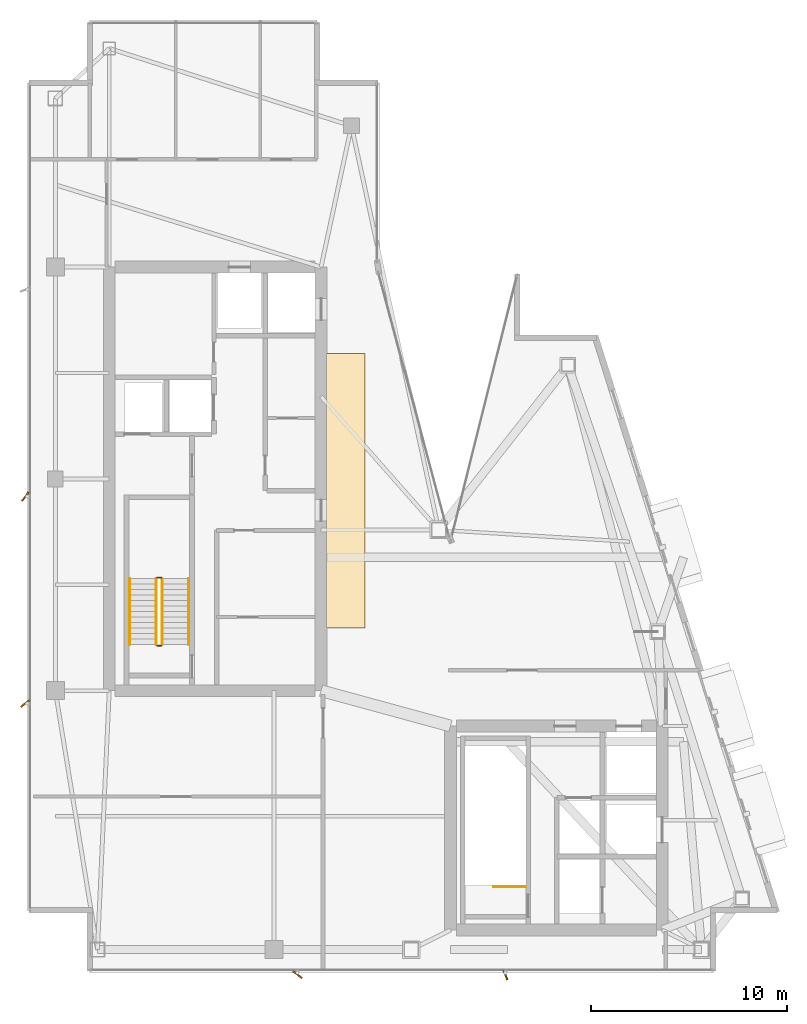
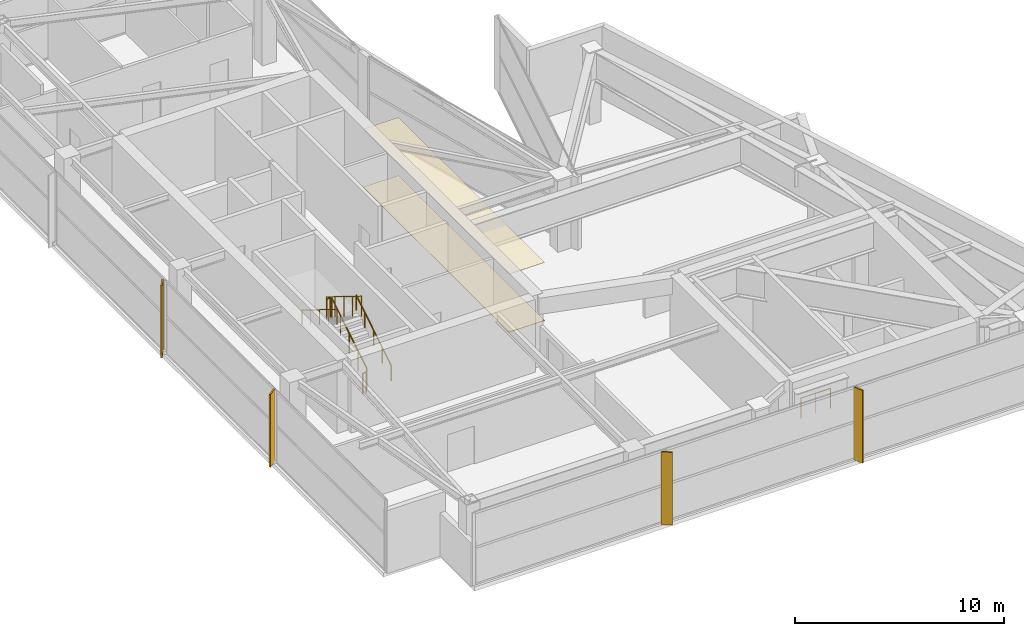
# One storey, part 24 of 25: 7 railings, 4 shading devices, 2 coverings.
"""IFC4 building model written with IfcOpenShell, lengths in metres."""

from ifc_helpers import new_model, si_unit, direction, frame, origin, origin_2d, place, context, subcontext, project, spatial, rectangle, circle, extrude, material, layer, layer_set, type_object, element, save


model = new_model("IFC4")

# Units and contexts
model_context = context("Model", 3, precision=1e-05, world=origin(), true_north=direction((0.0, 1.0)))
body_context = subcontext(model_context, "Body", "Model", "MODEL_VIEW")
ifc_project = project(units=[si_unit("LENGTHUNIT", "METRE"), si_unit("AREAUNIT", "SQUARE_METRE"), si_unit("VOLUMEUNIT", "CUBIC_METRE"), si_unit("PLANEANGLEUNIT", "RADIAN"), si_unit("MASSUNIT", "GRAM", prefix="KILO")], contexts=[model_context])

# Site, building, storey
site_placement = place(None, origin())
site = spatial("IfcSite", under=ifc_project, at=site_placement, CompositionType="ELEMENT")
building_placement = place(site_placement, origin())
building = spatial("IfcBuilding", under=site, at=building_placement, Name="Calvorn Quay Hotel", CompositionType="ELEMENT")
storey_placement = place(building_placement, frame((0.0, 0.0, 316.0)))
storey = spatial("IfcBuildingStorey", under=building, at=storey_placement, Name="L78", CompositionType="ELEMENT", Elevation=316.0)

# Coverings
ifc_material_1 = material(Name="Anodised Aluminium Acoustic Baffle", Category="aluminium")
ifc_layer_1 = layer(ifc_material_1, 0.02001953125)
ifc_layer_set_1 = layer_set([ifc_layer_1], Name="COV-CEIL-METAL")
covering_type_1 = type_object("IfcCoveringType", Name="COV-CEIL-METAL", PredefinedType="CEILING", material=ifc_layer_set_1)
covering_1_placement = place(storey_placement, frame((16.25, 27.0, 3.39990234375), z_axis=(0.0, 0.0, 1.0), x_axis=(1.0, 0.0, 0.0)))
element("IfcCovering", 1, at=covering_1_placement, inside=storey, type_object=covering_type_1, Name="Acoustic Suspended Ceiling (L78)", PredefinedType="CEILING", context=body_context, shape_type="SweptSolid", body=[
    extrude(rectangle(XDim=1.9599609375, YDim=14.0, at=origin_2d()), origin(), (0.0, 0.0, 1.0), 0.02001953125),
])
ifc_material_2 = material(Name="Honed Granite Stone Flooring", Category="masonry")
ifc_layer_2 = layer(ifc_material_2, 0.02392578125)
ifc_layer_set_2 = layer_set([ifc_layer_2], Name="COV-FLOOR-STONE")
covering_type_2 = type_object("IfcCoveringType", Name="COV-FLOOR-STONE", PredefinedType="FLOORING", material=ifc_layer_set_2)
covering_2_placement = place(storey_placement, frame((16.25, 27.0, 0.0), z_axis=(0.0, 0.0, 1.0), x_axis=(1.0, 0.0, 0.0)))
element("IfcCovering", 2, at=covering_2_placement, inside=storey, type_object=covering_type_2, Name="Interior Floor Finish (L78)", PredefinedType="FLOORING", context=body_context, shape_type="SweptSolid", body=[
    extrude(rectangle(XDim=1.9599609375, YDim=14.0, at=origin_2d()), origin(), (0.0, 0.0, 1.0), 0.02392578125),
])

# Railings
ifc_material_3 = material(Name="Brushed Stainless Steel Handrail", Category="steel")
railing_type_1 = type_object("IfcRailingType", Name="RLG-HANDRAIL-900", PredefinedType="HANDRAIL", material=ifc_material_3)
railing_1_placement = place(storey_placement, frame((8.25, 19.14990234375, 0.173095703125)))
element("IfcRailing", 3, at=railing_1_placement, inside=storey, type_object=railing_type_1, Name="L78 ST-W stair handrail 1", PredefinedType="HANDRAIL", context=body_context, shape_type="SweptSolid", body=[
    extrude(circle(Radius=0.02392578125, at=origin_2d()), frame((0.0, 0.0, 0.8759765625), z_axis=(0.0, 0.850623216509, 0.525775754039), x_axis=(-1.0, 0.0, 0.0)), (0.0, 0.0, 1.0), 3.9501953125),
    extrude(circle(Radius=0.02099609375, at=origin_2d()), origin(), (0.0, 0.0, 1.0), 0.851806640625),
    extrude(circle(Radius=0.02099609375, at=origin_2d()), frame((0.0, 0.840087890625, 0.519287109375)), (0.0, 0.0, 1.0), 0.851806640625),
    extrude(circle(Radius=0.02099609375, at=origin_2d()), frame((0.0, 1.68017578125, 1.03857421875)), (0.0, 0.0, 1.0), 0.851806640625),
    extrude(circle(Radius=0.02099609375, at=origin_2d()), frame((0.0, 2.52001953125, 1.5576171875)), (0.0, 0.0, 1.0), 0.851806640625),
    extrude(circle(Radius=0.02099609375, at=origin_2d()), frame((0.0, 3.360107421875, 2.076904296875)), (0.0, 0.0, 1.0), 0.851806640625),
])
railing_2_placement = place(storey_placement, frame((5.25, 22.510009765625, 2.423095703125)))
element("IfcRailing", 4, at=railing_2_placement, inside=storey, type_object=railing_type_1, Name="L78 ST-W stair handrail 2", PredefinedType="HANDRAIL", context=body_context, shape_type="SweptSolid", body=[
    extrude(circle(Radius=0.02392578125, at=origin_2d()), frame((0.0, 0.0, 0.8759765625), z_axis=(0.0, -0.850623216509, 0.525775754039), x_axis=(1.0, 0.0, 0.0)), (0.0, 0.0, 1.0), 3.9501953125),
    extrude(circle(Radius=0.02099609375, at=origin_2d()), origin(), (0.0, 0.0, 1.0), 0.851806640625),
    extrude(circle(Radius=0.02099609375, at=origin_2d()), frame((0.0, -0.840087890625, 0.519287109375)), (0.0, 0.0, 1.0), 0.851806640625),
    extrude(circle(Radius=0.02099609375, at=origin_2d()), frame((0.0, -1.68017578125, 1.03857421875)), (0.0, 0.0, 1.0), 0.851806640625),
    extrude(circle(Radius=0.02099609375, at=origin_2d()), frame((0.0, -2.52001953125, 1.5576171875)), (0.0, 0.0, 1.0), 0.851806640625),
    extrude(circle(Radius=0.02099609375, at=origin_2d()), frame((0.0, -3.360107421875, 2.076904296875)), (0.0, 0.0, 1.0), 0.851806640625),
])
ifc_material_4 = material(Name="Painted Galvanised Steel Balustrade", Category="steel")
railing_type_2 = type_object("IfcRailingType", Name="RLG-STAIR-GUARD-1120", PredefinedType="GUARDRAIL", material=ifc_material_4)
railing_3_placement = place(storey_placement, frame((6.89990234375, 19.14990234375, 0.173095703125)))
element("IfcRailing", 5, at=railing_3_placement, inside=storey, type_object=railing_type_2, Name="L78 ST-W stair guard 1", PredefinedType="GUARDRAIL", context=body_context, shape_type="SweptSolid", body=[
    extrude(circle(Radius=0.02392578125, at=origin_2d()), frame((0.0, 0.0, 1.17578125), z_axis=(0.0, 0.850623216509, 0.525775754039), x_axis=(-1.0, 0.0, 0.0)), (0.0, 0.0, 1.0), 3.9501953125),
    extrude(circle(Radius=0.02099609375, at=origin_2d()), origin(), (0.0, 0.0, 1.0), 1.15185546875),
    extrude(circle(Radius=0.02099609375, at=origin_2d()), frame((0.0, 0.840087890625, 0.519287109375)), (0.0, 0.0, 1.0), 1.15185546875),
    extrude(circle(Radius=0.02099609375, at=origin_2d()), frame((0.0, 1.68017578125, 1.03857421875)), (0.0, 0.0, 1.0), 1.15185546875),
    extrude(circle(Radius=0.02099609375, at=origin_2d()), frame((0.0, 2.52001953125, 1.5576171875)), (0.0, 0.0, 1.0), 1.15185546875),
    extrude(circle(Radius=0.02099609375, at=origin_2d()), frame((0.0, 3.360107421875, 2.076904296875)), (0.0, 0.0, 1.0), 1.15185546875),
])
railing_4_placement = place(storey_placement, frame((6.85009765625, 22.56005859375, 2.25)))
element("IfcRailing", 6, at=railing_4_placement, inside=storey, type_object=railing_type_2, Name="L78 ST-W stair guard 2", PredefinedType="GUARDRAIL", context=body_context, shape_type="SweptSolid", body=[
    extrude(circle(Radius=0.02392578125, at=origin_2d()), frame((0.0, 0.0, 1.17578125), z_axis=(-1.0, 0.0, 0.0), x_axis=(0.0, -1.0, 0.0)), (0.0, 0.0, 1.0), 0.2001953125),
    extrude(circle(Radius=0.02099609375, at=origin_2d()), origin(), (0.0, 0.0, 1.0), 1.15185546875),
    extrude(circle(Radius=0.02099609375, at=origin_2d()), frame((-0.2001953125, 0.0, 0.0)), (0.0, 0.0, 1.0), 1.15185546875),
])
railing_5_placement = place(storey_placement, frame((6.60009765625, 22.510009765625, 2.423095703125)))
element("IfcRailing", 7, at=railing_5_placement, inside=storey, type_object=railing_type_2, Name="L78 ST-W stair guard 3", PredefinedType="GUARDRAIL", context=body_context, shape_type="SweptSolid", body=[
    extrude(circle(Radius=0.02392578125, at=origin_2d()), frame((0.0, 0.0, 1.17578125), z_axis=(0.0, -0.850623216509, 0.525775754039), x_axis=(1.0, 0.0, 0.0)), (0.0, 0.0, 1.0), 3.9501953125),
    extrude(circle(Radius=0.02099609375, at=origin_2d()), origin(), (0.0, 0.0, 1.0), 1.15185546875),
    extrude(circle(Radius=0.02099609375, at=origin_2d()), frame((0.0, -0.840087890625, 0.519287109375)), (0.0, 0.0, 1.0), 1.15185546875),
    extrude(circle(Radius=0.02099609375, at=origin_2d()), frame((0.0, -1.68017578125, 1.03857421875)), (0.0, 0.0, 1.0), 1.15185546875),
    extrude(circle(Radius=0.02099609375, at=origin_2d()), frame((0.0, -2.52001953125, 1.5576171875)), (0.0, 0.0, 1.0), 1.15185546875),
    extrude(circle(Radius=0.02099609375, at=origin_2d()), frame((0.0, -3.360107421875, 2.076904296875)), (0.0, 0.0, 1.0), 1.15185546875),
])
railing_6_placement = place(storey_placement, frame((6.85009765625, 19.10009765625, 0.0)))
element("IfcRailing", 8, at=railing_6_placement, inside=storey, type_object=railing_type_2, Name="L78 ST-W stair guard 4", PredefinedType="GUARDRAIL", context=body_context, shape_type="SweptSolid", body=[
    extrude(circle(Radius=0.02392578125, at=origin_2d()), frame((0.0, 0.0, 1.17578125), z_axis=(-1.0, 0.0, 0.0), x_axis=(0.0, -1.0, 0.0)), (0.0, 0.0, 1.0), 0.2001953125),
    extrude(circle(Radius=0.02099609375, at=origin_2d()), origin(), (0.0, 0.0, 1.0), 1.15185546875),
    extrude(circle(Radius=0.02099609375, at=origin_2d()), frame((-0.2001953125, 0.0, 0.0)), (0.0, 0.0, 1.0), 1.15185546875),
])
railing_7_placement = place(storey_placement, frame((25.449951171875, 6.800048828125, 0.0)))
element("IfcRailing", 9, at=railing_7_placement, inside=storey, type_object=railing_type_2, Name="L78 ST-E top well guard 1", PredefinedType="GUARDRAIL", context=body_context, shape_type="SweptSolid", body=[
    extrude(circle(Radius=0.02392578125, at=origin_2d()), frame((0.0, 0.0, 1.17578125), z_axis=(-1.0, 0.0, 0.0), x_axis=(0.0, -1.0, 0.0)), (0.0, 0.0, 1.0), 1.64990234375),
    extrude(circle(Radius=0.02099609375, at=origin_2d()), origin(), (0.0, 0.0, 1.0), 1.15185546875),
    extrude(circle(Radius=0.02099609375, at=origin_2d()), frame((-0.824951171875, 0.0, 0.0)), (0.0, 0.0, 1.0), 1.15185546875),
    extrude(circle(Radius=0.02099609375, at=origin_2d()), frame((-1.64990234375, 0.0, 0.0)), (0.0, 0.0, 1.0), 1.15185546875),
])

# Shading devices
ifc_material_5 = material(Name="Champagne Bronze Anodised Aluminium 6063-T6", Category="aluminium")
shading_device_type_1 = type_object("IfcShadingDeviceType", Name="SHD-FIN-A1", PredefinedType="USERDEFINED", material=ifc_material_5)
shading_device_1_placement = place(storey_placement, frame((24.39990234375, 2.320068359375, 0.0), z_axis=(0.0, 0.0, 1.0), x_axis=(-0.374606593416, 0.927183854567, 0.0)))
element("IfcShadingDevice", 10, at=shading_device_1_placement, inside=storey, type_object=shading_device_type_1, Name="Diagonal Sun-Shading Fin L78-S02", ObjectType="FIN", PredefinedType="USERDEFINED", context=body_context, shape_type="SweptSolid", body=[
    extrude(rectangle(XDim=0.550048828125, YDim=0.080078125, at=origin_2d()), origin(), (0.0, 0.0, 1.0), 4.260009765625),
])
ifc_material_6 = material(Name="Champagne Bronze Anodised Aluminium 6063-T6", Category="aluminium")
shading_device_type_2 = type_object("IfcShadingDeviceType", Name="SHD-FIN-A2", PredefinedType="USERDEFINED", material=ifc_material_6)
shading_device_2_placement = place(storey_placement, frame((-0.080078125, 16.14990234375, 0.0), z_axis=(0.0, 0.0, 1.0), x_axis=(0.788010753607, 0.615661475326, 0.0)))
element("IfcShadingDevice", 11, at=shading_device_2_placement, inside=storey, type_object=shading_device_type_2, Name="Diagonal Sun-Shading Fin L78-W01", ObjectType="FIN", PredefinedType="USERDEFINED", context=body_context, shape_type="SweptSolid", body=[
    extrude(rectangle(XDim=0.550048828125, YDim=0.080078125, at=origin_2d()), origin(), (0.0, 0.0, 1.0), 4.260009765625),
])
ifc_material_7 = material(Name="Champagne Bronze Anodised Aluminium 6063-T6", Category="aluminium")
shading_device_type_3 = type_object("IfcShadingDeviceType", Name="SHD-FIN-A3", PredefinedType="USERDEFINED", material=ifc_material_7)
for number, where, z_axis, x_axis, name in (
    (12, (-0.080078125, 26.699951171875, 0.0), (0.0, 0.0, 1.0), (0.587785252292, 0.809016994375, 0.0), "Diagonal Sun-Shading Fin L78-W02"),
    (13, (13.800048828125, 2.320068359375, 0.0), (0.0, 0.0, 1.0), (-0.809016994375, 0.587785252292, 0.0), "Diagonal Sun-Shading Fin L78-S01"),
):
    element("IfcShadingDevice", number, at=place(storey_placement, frame(where, z_axis=z_axis, x_axis=x_axis)), inside=storey, type_object=shading_device_type_3, Name=name, ObjectType="FIN", PredefinedType="USERDEFINED", context=body_context, shape_type="SweptSolid", body=[
        extrude(rectangle(XDim=0.550048828125, YDim=0.080078125, at=origin_2d()), origin(), (0.0, 0.0, 1.0), 4.260009765625),
    ])

save(model, "model.ifc")
